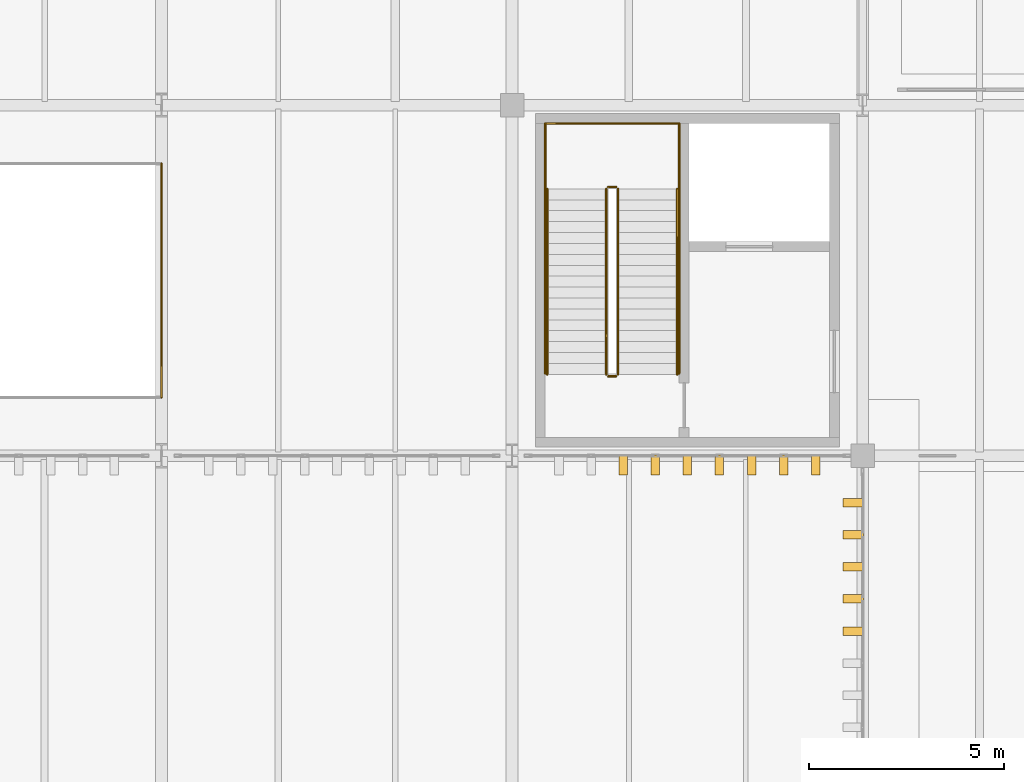
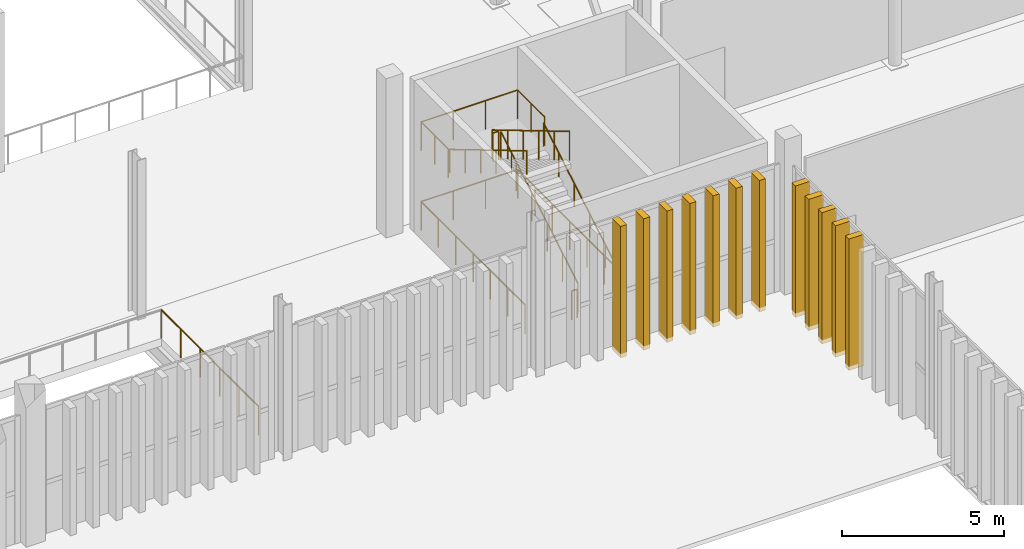
# One storey, part 196 of 211: 13 railings, 12 shading devices.
"""IFC4 building model written with IfcOpenShell, lengths in metres."""

from ifc_helpers import new_model, si_unit, direction, frame, origin, origin_2d, place, context, subcontext, project, spatial, rectangle, circle, extrude, material, type_object, element, save


model = new_model("IFC4")

# Units and contexts
model_context = context("Model", 3, precision=1e-05, world=origin(), true_north=direction((0.0, 1.0)))
body_context = subcontext(model_context, "Body", "Model", "MODEL_VIEW")
ifc_project = project(units=[si_unit("LENGTHUNIT", "METRE"), si_unit("AREAUNIT", "SQUARE_METRE"), si_unit("VOLUMEUNIT", "CUBIC_METRE"), si_unit("PLANEANGLEUNIT", "RADIAN"), si_unit("MASSUNIT", "GRAM", prefix="KILO")], contexts=[model_context])

# Site, building, storey
site_placement = place(None, origin())
site = spatial("IfcSite", under=ifc_project, at=site_placement, CompositionType="ELEMENT")
building_placement = place(site_placement, origin())
building = spatial("IfcBuilding", under=site, at=building_placement, Name="Barlavento Convention Centre", CompositionType="ELEMENT")
storey_placement = place(building_placement, frame((0.0, 0.0, 6.0)))
storey = spatial("IfcBuildingStorey", under=building, at=storey_placement, Name="L01", CompositionType="ELEMENT", Elevation=6.0)

# Railings
ifc_material_1 = material(Name="Stainless steel and laminated glass balustrade", Category="steel")
railing_type_1 = type_object("IfcRailingType", Name="ARC-RAL-BAL-1100", PredefinedType="BALUSTRADE", material=ifc_material_1)
railing_1_placement = place(storey_placement, frame((119.719970703125, 47.090087890625, 0.166748046875)))
element("IfcRailing", 1, at=railing_1_placement, inside=storey, type_object=railing_type_1, Name="L01 ST04 stair guard 1", PredefinedType="BALUSTRADE", context=body_context, shape_type="SweptSolid", body=[
    extrude(circle(Radius=0.02392578125, at=origin_2d()), frame((0.0, 0.0, 1.076171875), z_axis=(0.0, 0.859299802514, 0.511472237174), x_axis=(-1.0, 0.0, 0.0)), (0.0, 0.0, 1.0), 5.539306640625),
    extrude(circle(Radius=0.02099609375, at=origin_2d()), origin(), (0.0, 0.0, 1.0), 1.052001953125),
    extrude(circle(Radius=0.02099609375, at=origin_2d()), frame((0.0, 0.951904296875, 0.566650390625)), (0.0, 0.0, 1.0), 1.052001953125),
    extrude(circle(Radius=0.02099609375, at=origin_2d()), frame((0.0, 1.904052734375, 1.13330078125)), (0.0, 0.0, 1.0), 1.052001953125),
    extrude(circle(Radius=0.02099609375, at=origin_2d()), frame((0.0, 2.85595703125, 1.699951171875)), (0.0, 0.0, 1.0), 1.052001953125),
    extrude(circle(Radius=0.02099609375, at=origin_2d()), frame((0.0, 3.80810546875, 2.2666015625)), (0.0, 0.0, 1.0), 1.052001953125),
    extrude(circle(Radius=0.02099609375, at=origin_2d()), frame((0.0, 4.760009765625, 2.833251953125)), (0.0, 0.0, 1.0), 1.052001953125),
])
railing_2_placement = place(storey_placement, frame((119.669921875, 51.89990234375, 3.0)))
element("IfcRailing", 2, at=railing_2_placement, inside=storey, type_object=railing_type_1, Name="L01 ST04 stair guard 2", PredefinedType="BALUSTRADE", context=body_context, shape_type="SweptSolid", body=[
    extrude(circle(Radius=0.02392578125, at=origin_2d()), frame((0.0, 0.0, 1.076171875), z_axis=(-1.0, 0.0, 0.0), x_axis=(0.0, -1.0, 0.0)), (0.0, 0.0, 1.0), 0.199951171875),
    extrude(circle(Radius=0.02099609375, at=origin_2d()), origin(), (0.0, 0.0, 1.0), 1.052001953125),
    extrude(circle(Radius=0.02099609375, at=origin_2d()), frame((-0.199951171875, 0.0, 0.0)), (0.0, 0.0, 1.0), 1.052001953125),
])
railing_3_placement = place(storey_placement, frame((119.419921875, 51.85009765625, 3.166748046875)))
element("IfcRailing", 3, at=railing_3_placement, inside=storey, type_object=railing_type_1, Name="L01 ST04 stair guard 3", PredefinedType="BALUSTRADE", context=body_context, shape_type="SweptSolid", body=[
    extrude(circle(Radius=0.02392578125, at=origin_2d()), frame((0.0, 0.0, 1.076171875), z_axis=(0.0, -0.859299802514, 0.511472237174), x_axis=(1.0, 0.0, 0.0)), (0.0, 0.0, 1.0), 5.539306640625),
    extrude(circle(Radius=0.02099609375, at=origin_2d()), origin(), (0.0, 0.0, 1.0), 1.052001953125),
    extrude(circle(Radius=0.02099609375, at=origin_2d()), frame((0.0, -0.951904296875, 0.566650390625)), (0.0, 0.0, 1.0), 1.052001953125),
    extrude(circle(Radius=0.02099609375, at=origin_2d()), frame((0.0, -1.904052734375, 1.13330078125)), (0.0, 0.0, 1.0), 1.052001953125),
    extrude(circle(Radius=0.02099609375, at=origin_2d()), frame((0.0, -2.85595703125, 1.699951171875)), (0.0, 0.0, 1.0), 1.052001953125),
    extrude(circle(Radius=0.02099609375, at=origin_2d()), frame((0.0, -3.80810546875, 2.2666015625)), (0.0, 0.0, 1.0), 1.052001953125),
    extrude(circle(Radius=0.02099609375, at=origin_2d()), frame((0.0, -4.760009765625, 2.833251953125)), (0.0, 0.0, 1.0), 1.052001953125),
])
railing_4_placement = place(storey_placement, frame((119.669921875, 47.0400390625, 0.0)))
element("IfcRailing", 4, at=railing_4_placement, inside=storey, type_object=railing_type_1, Name="L01 ST04 stair guard 4", PredefinedType="BALUSTRADE", context=body_context, shape_type="SweptSolid", body=[
    extrude(circle(Radius=0.02392578125, at=origin_2d()), frame((0.0, 0.0, 1.076171875), z_axis=(-1.0, 0.0, 0.0), x_axis=(0.0, -1.0, 0.0)), (0.0, 0.0, 1.0), 0.199951171875),
    extrude(circle(Radius=0.02099609375, at=origin_2d()), origin(), (0.0, 0.0, 1.0), 1.052001953125),
    extrude(circle(Radius=0.02099609375, at=origin_2d()), frame((-0.199951171875, 0.0, 0.0)), (0.0, 0.0, 1.0), 1.052001953125),
])
for number, where, name in (
    (5, (121.2900390625, 51.85009765625, 3.0), "L01 landing guard GR01"),
    (6, (117.85009765625, 51.85009765625, 3.0), "L01 landing guard GR01"),
):
    element("IfcRailing", number, at=place(storey_placement, frame(where)), inside=storey, type_object=railing_type_1, Name=name, PredefinedType="BALUSTRADE", context=body_context, shape_type="SweptSolid", body=[
        extrude(circle(Radius=0.02392578125, at=origin_2d()), frame((0.0, 0.0, 1.076171875), z_axis=(0.0, 1.0, 0.0), x_axis=(-1.0, 0.0, 0.0)), (0.0, 0.0, 1.0), 1.679931640625),
        extrude(circle(Radius=0.02099609375, at=origin_2d()), origin(), (0.0, 0.0, 1.0), 1.052001953125),
        extrude(circle(Radius=0.02099609375, at=origin_2d()), frame((0.0, 0.83984375, 0.0)), (0.0, 0.0, 1.0), 1.052001953125),
        extrude(circle(Radius=0.02099609375, at=origin_2d()), frame((0.0, 1.679931640625, 0.0)), (0.0, 0.0, 1.0), 1.052001953125),
    ])
railing_5_placement = place(storey_placement, frame((121.2900390625, 53.530029296875, 3.0)))
element("IfcRailing", 7, at=railing_5_placement, inside=storey, type_object=railing_type_1, Name="L01 landing guard GR01", PredefinedType="BALUSTRADE", context=body_context, shape_type="SweptSolid", body=[
    extrude(circle(Radius=0.02392578125, at=origin_2d()), frame((0.0, 0.0, 1.076171875), z_axis=(-1.0, 0.0, 0.0), x_axis=(0.0, -1.0, 0.0)), (0.0, 0.0, 1.0), 3.43994140625),
    extrude(circle(Radius=0.02099609375, at=origin_2d()), origin(), (0.0, 0.0, 1.0), 1.052001953125),
    extrude(circle(Radius=0.02099609375, at=origin_2d()), frame((-1.146728515625, 0.0, 0.0)), (0.0, 0.0, 1.0), 1.052001953125),
    extrude(circle(Radius=0.02099609375, at=origin_2d()), frame((-2.293212890625, 0.0, 0.0)), (0.0, 0.0, 1.0), 1.052001953125),
    extrude(circle(Radius=0.02099609375, at=origin_2d()), frame((-3.43994140625, 0.0, 0.0)), (0.0, 0.0, 1.0), 1.052001953125),
])
railing_6_placement = place(storey_placement, frame((121.2900390625, 47.114990234375, 0.0)))
element("IfcRailing", 8, at=railing_6_placement, inside=storey, type_object=railing_type_1, Name="L01 stairwell perimeter guard GR01", PredefinedType="BALUSTRADE", context=body_context, shape_type="SweptSolid", body=[
    extrude(circle(Radius=0.02392578125, at=origin_2d()), frame((0.0, 0.0, 1.076171875), z_axis=(0.0, 1.0, 0.0), x_axis=(-1.0, 0.0, 0.0)), (0.0, 0.0, 1.0), 6.4150390625),
    extrude(circle(Radius=0.02099609375, at=origin_2d()), origin(), (0.0, 0.0, 1.0), 1.052001953125),
    extrude(circle(Radius=0.02099609375, at=origin_2d()), frame((0.0, 1.069091796875, 0.0)), (0.0, 0.0, 1.0), 1.052001953125),
    extrude(circle(Radius=0.02099609375, at=origin_2d()), frame((0.0, 2.138427734375, 0.0)), (0.0, 0.0, 1.0), 1.052001953125),
    extrude(circle(Radius=0.02099609375, at=origin_2d()), frame((0.0, 3.20751953125, 0.0)), (0.0, 0.0, 1.0), 1.052001953125),
    extrude(circle(Radius=0.02099609375, at=origin_2d()), frame((0.0, 4.276611328125, 0.0)), (0.0, 0.0, 1.0), 1.052001953125),
    extrude(circle(Radius=0.02099609375, at=origin_2d()), frame((0.0, 5.345947265625, 0.0)), (0.0, 0.0, 1.0), 1.052001953125),
    extrude(circle(Radius=0.02099609375, at=origin_2d()), frame((0.0, 6.4150390625, 0.0)), (0.0, 0.0, 1.0), 1.052001953125),
])
railing_7_placement = place(storey_placement, frame((121.2900390625, 53.530029296875, 0.0)))
element("IfcRailing", 9, at=railing_7_placement, inside=storey, type_object=railing_type_1, Name="L01 stairwell perimeter guard GR01", PredefinedType="BALUSTRADE", context=body_context, shape_type="SweptSolid", body=[
    extrude(circle(Radius=0.02392578125, at=origin_2d()), frame((0.0, 0.0, 1.076171875), z_axis=(-1.0, 0.0, 0.0), x_axis=(0.0, -1.0, 0.0)), (0.0, 0.0, 1.0), 3.43994140625),
    extrude(circle(Radius=0.02099609375, at=origin_2d()), origin(), (0.0, 0.0, 1.0), 1.052001953125),
    extrude(circle(Radius=0.02099609375, at=origin_2d()), frame((-1.146728515625, 0.0, 0.0)), (0.0, 0.0, 1.0), 1.052001953125),
    extrude(circle(Radius=0.02099609375, at=origin_2d()), frame((-2.293212890625, 0.0, 0.0)), (0.0, 0.0, 1.0), 1.052001953125),
    extrude(circle(Radius=0.02099609375, at=origin_2d()), frame((-3.43994140625, 0.0, 0.0)), (0.0, 0.0, 1.0), 1.052001953125),
])
railing_8_placement = place(storey_placement, frame((117.85009765625, 53.530029296875, 0.0)))
element("IfcRailing", 10, at=railing_8_placement, inside=storey, type_object=railing_type_1, Name="L01 stairwell perimeter guard GR01", PredefinedType="BALUSTRADE", context=body_context, shape_type="SweptSolid", body=[
    extrude(circle(Radius=0.02392578125, at=origin_2d()), frame((0.0, 0.0, 1.076171875), z_axis=(0.0, -1.0, 0.0), x_axis=(1.0, 0.0, 0.0)), (0.0, 0.0, 1.0), 6.4150390625),
    extrude(circle(Radius=0.02099609375, at=origin_2d()), origin(), (0.0, 0.0, 1.0), 1.052001953125),
    extrude(circle(Radius=0.02099609375, at=origin_2d()), frame((0.0, -1.069091796875, 0.0)), (0.0, 0.0, 1.0), 1.052001953125),
    extrude(circle(Radius=0.02099609375, at=origin_2d()), frame((0.0, -2.138427734375, 0.0)), (0.0, 0.0, 1.0), 1.052001953125),
    extrude(circle(Radius=0.02099609375, at=origin_2d()), frame((0.0, -3.20751953125, 0.0)), (0.0, 0.0, 1.0), 1.052001953125),
    extrude(circle(Radius=0.02099609375, at=origin_2d()), frame((0.0, -4.276611328125, 0.0)), (0.0, 0.0, 1.0), 1.052001953125),
    extrude(circle(Radius=0.02099609375, at=origin_2d()), frame((0.0, -5.345947265625, 0.0)), (0.0, 0.0, 1.0), 1.052001953125),
    extrude(circle(Radius=0.02099609375, at=origin_2d()), frame((0.0, -6.4150390625, 0.0)), (0.0, 0.0, 1.0), 1.052001953125),
])
railing_9_placement = place(storey_placement, frame((108.0, 46.5, 0.0)))
element("IfcRailing", 11, at=railing_9_placement, inside=storey, type_object=railing_type_1, Name="L01 interior atrium or gallery balustrade GR01", PredefinedType="BALUSTRADE", context=body_context, shape_type="SweptSolid", body=[
    extrude(circle(Radius=0.02392578125, at=origin_2d()), frame((0.0, 0.0, 1.076171875), z_axis=(0.0, 1.0, 0.0), x_axis=(-1.0, 0.0, 0.0)), (0.0, 0.0, 1.0), 6.0),
    extrude(circle(Radius=0.02099609375, at=origin_2d()), origin(), (0.0, 0.0, 1.0), 1.052001953125),
    extrude(circle(Radius=0.02099609375, at=origin_2d()), frame((0.0, 1.199951171875, 0.0)), (0.0, 0.0, 1.0), 1.052001953125),
    extrude(circle(Radius=0.02099609375, at=origin_2d()), frame((0.0, 2.39990234375, 0.0)), (0.0, 0.0, 1.0), 1.052001953125),
    extrude(circle(Radius=0.02099609375, at=origin_2d()), frame((0.0, 3.60009765625, 0.0)), (0.0, 0.0, 1.0), 1.052001953125),
    extrude(circle(Radius=0.02099609375, at=origin_2d()), frame((0.0, 4.800048828125, 0.0)), (0.0, 0.0, 1.0), 1.052001953125),
    extrude(circle(Radius=0.02099609375, at=origin_2d()), frame((0.0, 6.0, 0.0)), (0.0, 0.0, 1.0), 1.052001953125),
])
ifc_material_2 = material(Name="Brushed stainless steel tubular handrail", Category="steel")
railing_type_2 = type_object("IfcRailingType", Name="ARC-RAL-HR-900", PredefinedType="HANDRAIL", material=ifc_material_2)
railing_10_placement = place(storey_placement, frame((121.239990234375, 47.090087890625, 0.166748046875)))
element("IfcRailing", 12, at=railing_10_placement, inside=storey, type_object=railing_type_2, Name="L01 ST04 stair handrail 1", PredefinedType="HANDRAIL", context=body_context, shape_type="SweptSolid", body=[
    extrude(circle(Radius=0.02392578125, at=origin_2d()), frame((0.0, 0.0, 0.8759765625), z_axis=(0.0, 0.859299802514, 0.511472237174), x_axis=(-1.0, 0.0, 0.0)), (0.0, 0.0, 1.0), 5.539306640625),
    extrude(circle(Radius=0.02099609375, at=origin_2d()), origin(), (0.0, 0.0, 1.0), 0.851806640625),
    extrude(circle(Radius=0.02099609375, at=origin_2d()), frame((0.0, 0.951904296875, 0.566650390625)), (0.0, 0.0, 1.0), 0.851806640625),
    extrude(circle(Radius=0.02099609375, at=origin_2d()), frame((0.0, 1.904052734375, 1.13330078125)), (0.0, 0.0, 1.0), 0.851806640625),
    extrude(circle(Radius=0.02099609375, at=origin_2d()), frame((0.0, 2.85595703125, 1.699951171875)), (0.0, 0.0, 1.0), 0.851806640625),
    extrude(circle(Radius=0.02099609375, at=origin_2d()), frame((0.0, 3.80810546875, 2.2666015625)), (0.0, 0.0, 1.0), 0.851806640625),
    extrude(circle(Radius=0.02099609375, at=origin_2d()), frame((0.0, 4.760009765625, 2.833251953125)), (0.0, 0.0, 1.0), 0.851806640625),
])
railing_11_placement = place(storey_placement, frame((117.89990234375, 51.85009765625, 3.166748046875)))
element("IfcRailing", 13, at=railing_11_placement, inside=storey, type_object=railing_type_2, Name="L01 ST04 stair handrail 2", PredefinedType="HANDRAIL", context=body_context, shape_type="SweptSolid", body=[
    extrude(circle(Radius=0.02392578125, at=origin_2d()), frame((0.0, 0.0, 0.8759765625), z_axis=(0.0, -0.859299802514, 0.511472237174), x_axis=(1.0, 0.0, 0.0)), (0.0, 0.0, 1.0), 5.539306640625),
    extrude(circle(Radius=0.02099609375, at=origin_2d()), origin(), (0.0, 0.0, 1.0), 0.851806640625),
    extrude(circle(Radius=0.02099609375, at=origin_2d()), frame((0.0, -0.951904296875, 0.566650390625)), (0.0, 0.0, 1.0), 0.851806640625),
    extrude(circle(Radius=0.02099609375, at=origin_2d()), frame((0.0, -1.904052734375, 1.13330078125)), (0.0, 0.0, 1.0), 0.851806640625),
    extrude(circle(Radius=0.02099609375, at=origin_2d()), frame((0.0, -2.85595703125, 1.699951171875)), (0.0, 0.0, 1.0), 0.851806640625),
    extrude(circle(Radius=0.02099609375, at=origin_2d()), frame((0.0, -3.80810546875, 2.2666015625)), (0.0, 0.0, 1.0), 0.851806640625),
    extrude(circle(Radius=0.02099609375, at=origin_2d()), frame((0.0, -4.760009765625, 2.833251953125)), (0.0, 0.0, 1.0), 0.851806640625),
])

# Shading devices
ifc_material_3 = material(Name="PVDF white extruded aluminium", Category="aluminium")
shading_device_type = type_object("IfcShadingDeviceType", Name="ARC-SHD-FIN-480", PredefinedType="USERDEFINED", material=ifc_material_3)
for number, where, z_axis, x_axis, name in (
    (14, (119.85205078125, 44.760009765625, 0.0), (0.0, 0.0, 1.0), (1.0, 0.0, 0.0), "White vertical solar shading fin VF01"),
    (15, (120.676025390625, 44.760009765625, 0.0), (0.0, 0.0, 1.0), (1.0, 0.0, 0.0), "White vertical solar shading fin VF01"),
    (16, (121.5, 44.760009765625, 0.0), (0.0, 0.0, 1.0), (1.0, 0.0, 0.0), "White vertical solar shading fin VF01"),
    (17, (122.323974609375, 44.760009765625, 0.0), (0.0, 0.0, 1.0), (1.0, 0.0, 0.0), "White vertical solar shading fin VF01"),
    (18, (123.14794921875, 44.760009765625, 0.0), (0.0, 0.0, 1.0), (1.0, 0.0, 0.0), "White vertical solar shading fin VF01"),
    (19, (123.971923828125, 44.760009765625, 0.0), (0.0, 0.0, 1.0), (1.0, 0.0, 0.0), "White vertical solar shading fin VF01"),
    (20, (124.7958984375, 44.760009765625, 0.0), (0.0, 0.0, 1.0), (1.0, 0.0, 0.0), "White vertical solar shading fin VF01"),
    (21, (125.760009765625, 40.5, 0.0), (0.0, 0.0, 1.0), (0.0, 1.0, 0.0), "White vertical solar shading fin VF01"),
    (22, (125.760009765625, 41.323974609375, 0.0), (0.0, 0.0, 1.0), (0.0, 1.0, 0.0), "White vertical solar shading fin VF01"),
    (23, (125.760009765625, 42.14794921875, 0.0), (0.0, 0.0, 1.0), (0.0, 1.0, 0.0), "White vertical solar shading fin VF01"),
    (24, (125.760009765625, 42.971923828125, 0.0), (0.0, 0.0, 1.0), (0.0, 1.0, 0.0), "White vertical solar shading fin VF01"),
    (25, (125.760009765625, 43.7958984375, 0.0), (0.0, 0.0, 1.0), (0.0, 1.0, 0.0), "White vertical solar shading fin VF01"),
):
    element("IfcShadingDevice", number, at=place(storey_placement, frame(where, z_axis=z_axis, x_axis=x_axis)), inside=storey, type_object=shading_device_type, Name=name, ObjectType="FIN", PredefinedType="USERDEFINED", context=body_context, shape_type="SweptSolid", body=[
        extrude(rectangle(XDim=0.219970703125, YDim=0.52001953125, at=origin_2d()), origin(), (0.0, 0.0, 1.0), 4.949951171875),
    ])

save(model, "model.ifc")
